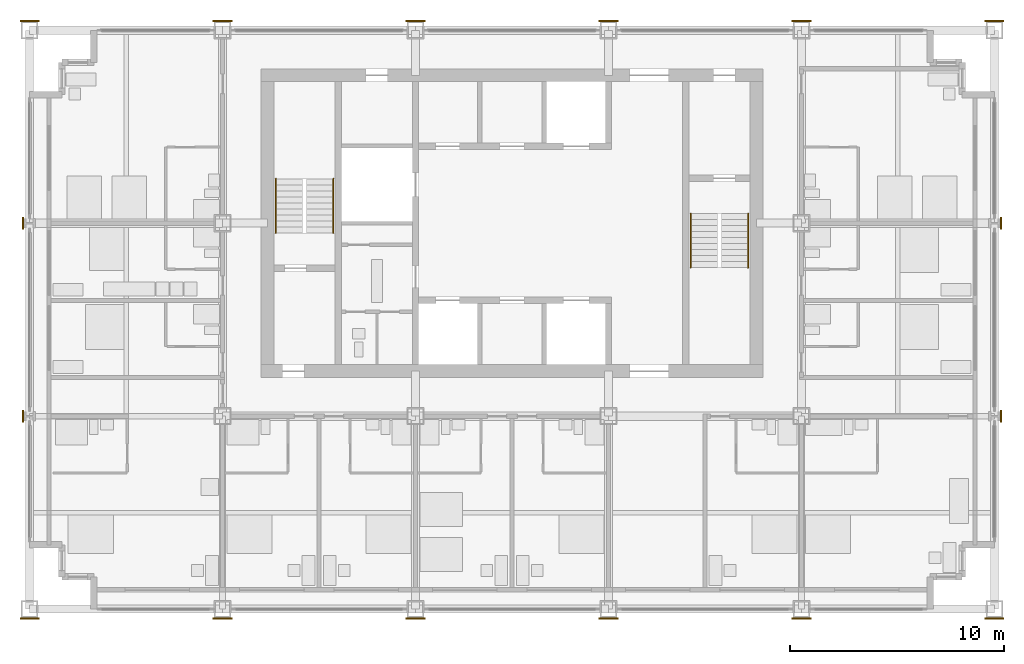
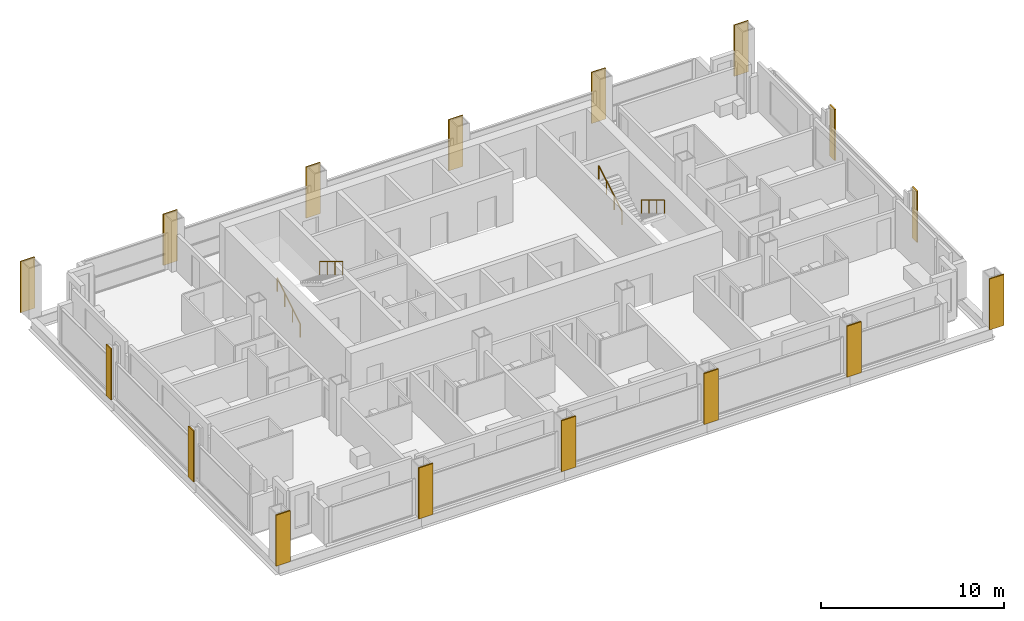
# One storey, part 12 of 14: 16 coverings, 4 railings.
"""IFC4 building model written with IfcOpenShell, lengths in metres."""

from ifc_helpers import new_model, si_unit, direction, frame, origin, origin_2d, place, context, subcontext, project, spatial, rectangle, circle, extrude, material, layer, layer_set, type_object, element, save


model = new_model("IFC4")

# Units and contexts
model_context = context("Model", 3, precision=1e-05, world=origin(), true_north=direction((0.0, 1.0)))
body_context = subcontext(model_context, "Body", "Model", "MODEL_VIEW")
ifc_project = project(units=[si_unit("LENGTHUNIT", "METRE"), si_unit("AREAUNIT", "SQUARE_METRE"), si_unit("VOLUMEUNIT", "CUBIC_METRE"), si_unit("PLANEANGLEUNIT", "RADIAN"), si_unit("MASSUNIT", "GRAM", prefix="KILO")], contexts=[model_context])

# Site, building, storey
site_placement = place(None, origin())
site = spatial("IfcSite", under=ifc_project, at=site_placement, CompositionType="ELEMENT")
building_placement = place(site_placement, origin())
building = spatial("IfcBuilding", under=site, at=building_placement, Name="Loomwork Tower", CompositionType="ELEMENT")
storey_placement = place(building_placement, frame((0.0, 0.0, 167.199951171875)))
storey = spatial("IfcBuildingStorey", under=building, at=storey_placement, Name="L45", CompositionType="ELEMENT", Elevation=167.199951171875)

# Railings
ifc_material_1 = material(Name="Stainless steel handrail", Category="steel")
railing_type = type_object("IfcRailingType", Name="Handrail 900", PredefinedType="HANDRAIL", material=ifc_material_1)
railing_1_placement = place(storey_placement, frame((11.485107421875, 17.550048828125, 0.170166015625)))
element("IfcRailing", 1, at=railing_1_placement, inside=storey, type_object=railing_type, Name="Stair A handrail flight 1 L45", PredefinedType="HANDRAIL", context=body_context, shape_type="SweptSolid", body=[
    extrude(circle(Radius=0.02392578125, at=origin_2d()), frame((0.0, 0.0, 0.8759765625), z_axis=(0.0, 0.854821627497, 0.518921945155), x_axis=(-1.0, 0.0, 0.0)), (0.0, 0.0, 1.0), 2.947998046875),
    extrude(circle(Radius=0.02099609375, at=origin_2d()), origin(), (0.0, 0.0, 1.0), 0.851806640625),
    extrude(circle(Radius=0.02099609375, at=origin_2d()), frame((0.0, 0.840087890625, 0.510009765625)), (0.0, 0.0, 1.0), 0.851806640625),
    extrude(circle(Radius=0.02099609375, at=origin_2d()), frame((0.0, 1.679931640625, 1.019775390625)), (0.0, 0.0, 1.0), 0.851806640625),
    extrude(circle(Radius=0.02099609375, at=origin_2d()), frame((0.0, 2.52001953125, 1.52978515625)), (0.0, 0.0, 1.0), 0.851806640625),
])
railing_2_placement = place(storey_placement, frame((14.1650390625, 20.070068359375, 1.8701171875)))
element("IfcRailing", 2, at=railing_2_placement, inside=storey, type_object=railing_type, Name="Stair A handrail flight 2 L45", PredefinedType="HANDRAIL", context=body_context, shape_type="SweptSolid", body=[
    extrude(circle(Radius=0.02392578125, at=origin_2d()), frame((0.0, 0.0, 0.8759765625), z_axis=(0.0, -0.85478489116, 0.518982456201), x_axis=(1.0, 0.0, 0.0)), (0.0, 0.0, 1.0), 2.9482421875),
    extrude(circle(Radius=0.02099609375, at=origin_2d()), origin(), (0.0, 0.0, 1.0), 0.851806640625),
    extrude(circle(Radius=0.02099609375, at=origin_2d()), frame((0.0, -0.840087890625, 0.510009765625)), (0.0, 0.0, 1.0), 0.851806640625),
    extrude(circle(Radius=0.02099609375, at=origin_2d()), frame((0.0, -1.679931640625, 1.02001953125)), (0.0, 0.0, 1.0), 0.851806640625),
    extrude(circle(Radius=0.02099609375, at=origin_2d()), frame((0.0, -2.52001953125, 1.530029296875)), (0.0, 0.0, 1.0), 0.851806640625),
])
railing_3_placement = place(storey_placement, frame((33.514892578125, 18.449951171875, 0.170166015625)))
element("IfcRailing", 3, at=railing_3_placement, inside=storey, type_object=railing_type, Name="Stair B handrail flight 1 L45", PredefinedType="HANDRAIL", context=body_context, shape_type="SweptSolid", body=[
    extrude(circle(Radius=0.02392578125, at=origin_2d()), frame((0.0, 0.0, 0.8759765625), z_axis=(0.0, -0.854821627497, 0.518921945155), x_axis=(1.0, 0.0, 0.0)), (0.0, 0.0, 1.0), 2.947998046875),
    extrude(circle(Radius=0.02099609375, at=origin_2d()), origin(), (0.0, 0.0, 1.0), 0.851806640625),
    extrude(circle(Radius=0.02099609375, at=origin_2d()), frame((0.0, -0.840087890625, 0.510009765625)), (0.0, 0.0, 1.0), 0.851806640625),
    extrude(circle(Radius=0.02099609375, at=origin_2d()), frame((0.0, -1.679931640625, 1.019775390625)), (0.0, 0.0, 1.0), 0.851806640625),
    extrude(circle(Radius=0.02099609375, at=origin_2d()), frame((0.0, -2.52001953125, 1.52978515625)), (0.0, 0.0, 1.0), 0.851806640625),
])
railing_4_placement = place(storey_placement, frame((30.8349609375, 15.929931640625, 1.8701171875)))
element("IfcRailing", 4, at=railing_4_placement, inside=storey, type_object=railing_type, Name="Stair B handrail flight 2 L45", PredefinedType="HANDRAIL", context=body_context, shape_type="SweptSolid", body=[
    extrude(circle(Radius=0.02392578125, at=origin_2d()), frame((0.0, 0.0, 0.8759765625), z_axis=(0.0, 0.85478489116, 0.518982456201), x_axis=(-1.0, 0.0, 0.0)), (0.0, 0.0, 1.0), 2.9482421875),
    extrude(circle(Radius=0.02099609375, at=origin_2d()), origin(), (0.0, 0.0, 1.0), 0.851806640625),
    extrude(circle(Radius=0.02099609375, at=origin_2d()), frame((0.0, 0.840087890625, 0.510009765625)), (0.0, 0.0, 1.0), 0.851806640625),
    extrude(circle(Radius=0.02099609375, at=origin_2d()), frame((0.0, 1.679931640625, 1.02001953125)), (0.0, 0.0, 1.0), 0.851806640625),
    extrude(circle(Radius=0.02099609375, at=origin_2d()), frame((0.0, 2.52001953125, 1.530029296875)), (0.0, 0.0, 1.0), 0.851806640625),
])

# Coverings
ifc_material_2 = material(Name="Limestone", Category="masonry")
ifc_layer = layer(ifc_material_2, 0.080078125)
ifc_layer_set = layer_set([ifc_layer], Name="Limestone pier facing 80")
covering_type = type_object("IfcCoveringType", Name="Limestone pier facing 80", PredefinedType="CLADDING", material=ifc_layer_set)
covering_1_placement = place(storey_placement, frame((0.0, -0.43994140625, 0.0), z_axis=(0.0, 0.0, 1.0), x_axis=(1.0, 0.0, 0.0)))
element("IfcCovering", 5, at=covering_1_placement, inside=storey, type_object=covering_type, Name="Pier facing D/2 L45", PredefinedType="CLADDING", context=body_context, shape_type="SweptSolid", body=[
    extrude(rectangle(XDim=0.89990234375, YDim=0.080078125, at=origin_2d()), origin(), (0.0, 0.0, 1.0), 3.39990234375),
])
for number, where, z_axis, x_axis, name in (
    (6, (-0.314208984375, 9.0, 0.0), (0.0, 0.0, 1.0), (1.0, 0.0, 0.0), "Pier facing E/2 L45"),
    (7, (-0.314208984375, 18.0, 0.0), (0.0, 0.0, 1.0), (1.0, 0.0, 0.0), "Pier facing F/2 L45"),
):
    element("IfcCovering", number, at=place(storey_placement, frame(where, z_axis=z_axis, x_axis=x_axis)), inside=storey, type_object=covering_type, Name=name, PredefinedType="CLADDING", context=body_context, shape_type="SweptSolid", body=[
        extrude(rectangle(XDim=0.080078125, YDim=0.549560546875, at=origin_2d()), origin(), (0.0, 0.0, 1.0), 3.39990234375),
    ])
for number, where, z_axis, x_axis, name in (
    (8, (0.0, 27.43994140625, 0.0), (0.0, 0.0, 1.0), (1.0, 0.0, 0.0), "Pier facing G/2 L45"),
    (9, (9.0, -0.43994140625, 0.0), (0.0, 0.0, 1.0), (1.0, 0.0, 0.0), "Pier facing D/3 L45"),
    (10, (9.0, 27.43994140625, 0.0), (0.0, 0.0, 1.0), (1.0, 0.0, 0.0), "Pier facing G/3 L45"),
    (11, (18.0, -0.43994140625, 0.0), (0.0, 0.0, 1.0), (1.0, 0.0, 0.0), "Pier facing D/4 L45"),
    (12, (18.0, 27.43994140625, 0.0), (0.0, 0.0, 1.0), (1.0, 0.0, 0.0), "Pier facing G/4 L45"),
    (13, (27.0, -0.43994140625, 0.0), (0.0, 0.0, 1.0), (1.0, 0.0, 0.0), "Pier facing D/5 L45"),
    (14, (27.0, 27.43994140625, 0.0), (0.0, 0.0, 1.0), (1.0, 0.0, 0.0), "Pier facing G/5 L45"),
    (15, (36.0, -0.43994140625, 0.0), (0.0, 0.0, 1.0), (1.0, 0.0, 0.0), "Pier facing D/6 L45"),
    (16, (36.0, 27.43994140625, 0.0), (0.0, 0.0, 1.0), (1.0, 0.0, 0.0), "Pier facing G/6 L45"),
    (17, (45.0, -0.43994140625, 0.0), (0.0, 0.0, 1.0), (1.0, 0.0, 0.0), "Pier facing D/7 L45"),
):
    element("IfcCovering", number, at=place(storey_placement, frame(where, z_axis=z_axis, x_axis=x_axis)), inside=storey, type_object=covering_type, Name=name, PredefinedType="CLADDING", context=body_context, shape_type="SweptSolid", body=[
        extrude(rectangle(XDim=0.89990234375, YDim=0.080078125, at=origin_2d()), origin(), (0.0, 0.0, 1.0), 3.39990234375),
    ])
for number, where, z_axis, x_axis, name in (
    (18, (45.314208984375, 9.0, 0.0), (0.0, 0.0, 1.0), (1.0, 0.0, 0.0), "Pier facing E/7 L45"),
    (19, (45.314208984375, 18.0, 0.0), (0.0, 0.0, 1.0), (1.0, 0.0, 0.0), "Pier facing F/7 L45"),
):
    element("IfcCovering", number, at=place(storey_placement, frame(where, z_axis=z_axis, x_axis=x_axis)), inside=storey, type_object=covering_type, Name=name, PredefinedType="CLADDING", context=body_context, shape_type="SweptSolid", body=[
        extrude(rectangle(XDim=0.080078125, YDim=0.549560546875, at=origin_2d()), origin(), (0.0, 0.0, 1.0), 3.39990234375),
    ])
covering_2_placement = place(storey_placement, frame((45.0, 27.43994140625, 0.0), z_axis=(0.0, 0.0, 1.0), x_axis=(1.0, 0.0, 0.0)))
element("IfcCovering", 20, at=covering_2_placement, inside=storey, type_object=covering_type, Name="Pier facing G/7 L45", PredefinedType="CLADDING", context=body_context, shape_type="SweptSolid", body=[
    extrude(rectangle(XDim=0.89990234375, YDim=0.080078125, at=origin_2d()), origin(), (0.0, 0.0, 1.0), 3.39990234375),
])

save(model, "model.ifc")
